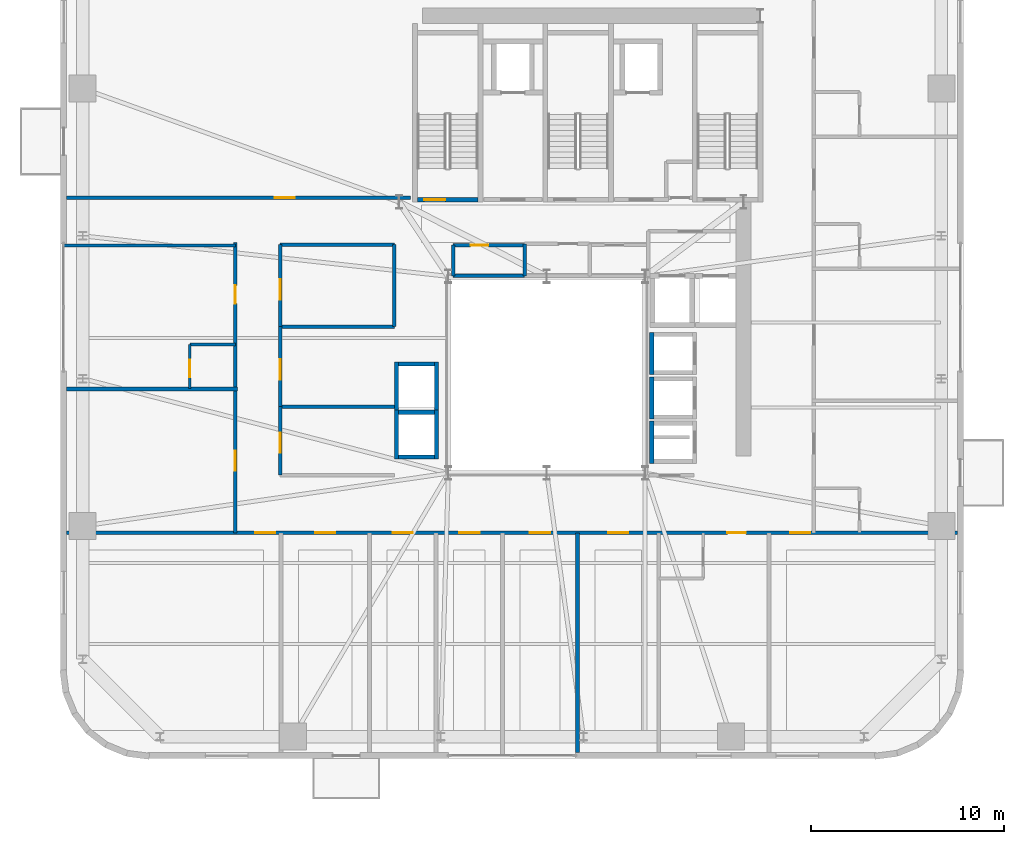
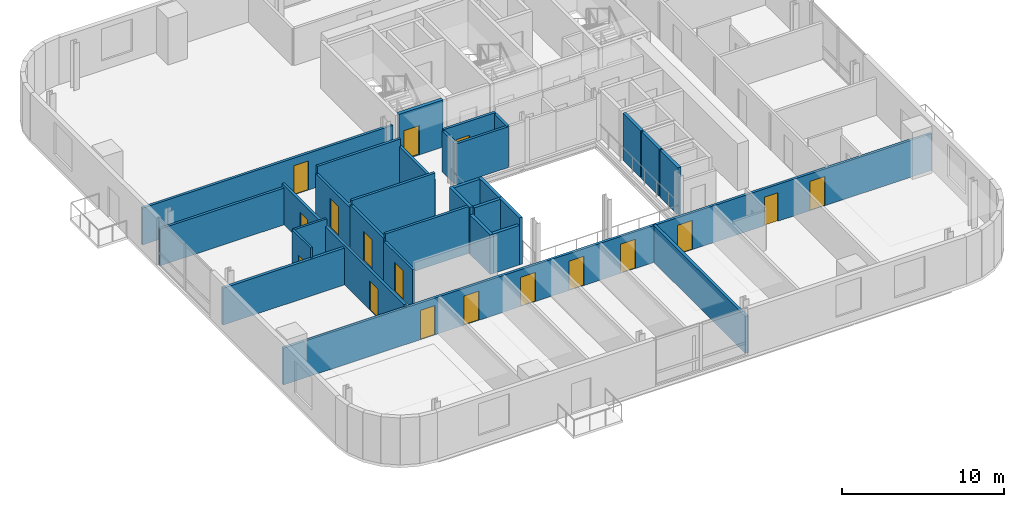
# One storey, part 8 of 16: 30 walls, 17 doors, 17 openings.
"""IFC4 building model written with IfcOpenShell, lengths in metres."""

from ifc_helpers import new_model, si_unit, direction, frame, frame_2d, origin, place, context, subcontext, project, spatial, rectangle, extrude, source, transform, mapped, material, layer, layer_set, type_object, element, fill, save


model = new_model("IFC4")

# Units and contexts
model_context = context("Model", 3, precision=1e-05, world=origin(), true_north=direction((0.0, 1.0)))
body_context = subcontext(model_context, "Body", "Model", "MODEL_VIEW")
ifc_project = project(units=[si_unit("LENGTHUNIT", "METRE"), si_unit("AREAUNIT", "SQUARE_METRE"), si_unit("VOLUMEUNIT", "CUBIC_METRE"), si_unit("PLANEANGLEUNIT", "RADIAN"), si_unit("MASSUNIT", "GRAM", prefix="KILO")], contexts=[model_context])

# Site, building, storey
site_placement = place(None, origin())
site = spatial("IfcSite", under=ifc_project, at=site_placement, CompositionType="ELEMENT")
building_placement = place(site_placement, origin())
building = spatial("IfcBuilding", under=site, at=building_placement, Name="Vardaveli Station Tower", CompositionType="ELEMENT")
storey_placement = place(building_placement, frame((0.0, 0.0, 184.800048828125)))
storey = spatial("IfcBuildingStorey", under=building, at=storey_placement, Name="L47", CompositionType="ELEMENT", Elevation=184.800048828125)

# Wall, opening, door
ifc_material_1 = material(Name="Concrete C40/50", Category="concrete")
ifc_layer_1 = layer(ifc_material_1, 0.25, Name="Concrete C40/50")
ifc_layer_set_1 = layer_set([ifc_layer_1], Name="Concrete C40/50")
wall_type_1 = type_object("IfcWallType", Name="WAL-SHAFT-250", PredefinedType="SOLIDWALL", material=ifc_layer_set_1)
shared_shape_1 = source(origin(), body_context, "Body", "SweptSolid", [
    extrude(rectangle(XDim=3.14990234375, YDim=0.25, at=frame_2d((1.574951171875, 0.0))), origin(), (0.0, 0.0, 1.0), 3.550048828125),
])
wall_1_placement = place(storey_placement, frame((29.60009765625, 30.77490234375, 0.0), z_axis=(0.0, 0.0, 1.0), x_axis=(1.0, 0.0, 0.0)))
wall_1 = element("IfcWall", 1, at=wall_1_placement, inside=storey, type_object=wall_type_1, Name="W-L47-ST-1S", PredefinedType="SOLIDWALL", context=body_context, shape_type="MappedRepresentation", body=[
    mapped(shared_shape_1, transform((0.0, 0.0, 0.0), scale=1.0)),
])
shared_shape_2 = source(origin(), body_context, "Body", "SweptSolid", [
    extrude(rectangle(XDim=1.10009765625, YDim=2.199951171875, at=frame_2d((0.550048828125, 1.10009765625))), frame((0.0, 0.135009765625, 0.0), z_axis=(0.0, -1.0, 0.0), x_axis=(1.0, 0.0, 0.0)), (0.0, 0.0, 1.0), 0.27001953125),
])
opening_1_placement = place(wall_1_placement, frame((0.35009765625, 0.0, 0.0)))
opening_1 = element("IfcOpeningElement", 2, at=opening_1_placement, cuts=wall_1, Name="Opening D-04", PredefinedType="OPENING", context=body_context, shape_type="MappedRepresentation", body=[
    mapped(shared_shape_2, transform((0.0, 0.0, 0.0), scale=1.0)),
])
ifc_material_2 = material(Name="Steel smokeproof fire doorset", Category="steel")
door_type_1 = type_object("IfcDoorType", Name="DR-ST-1100x2200", OperationType="NOTDEFINED", PredefinedType="DOOR", material=ifc_material_2)
shared_shape_3 = source(origin(), body_context, "Body", "SweptSolid", [
    extrude(rectangle(XDim=1.10009765625, YDim=2.199951171875, at=frame_2d((0.550048828125, 1.10009765625))), frame((0.0, 0.02490234375, 0.0), z_axis=(0.0, -1.0, 0.0), x_axis=(1.0, 0.0, 0.0)), (0.0, 0.0, 1.0), 0.050048828125),
])
door_1_placement = place(opening_1_placement, origin())
door_1 = element("IfcDoor", 3, at=door_1_placement, inside=storey, type_object=door_type_1, Name="DST-1-L47", OperationType="SINGLE_SWING_LEFT", OverallHeight=2.199951171875, OverallWidth=1.10009765625, PredefinedType="DOOR", context=body_context, shape_type="MappedRepresentation", body=[
    mapped(shared_shape_3, transform((0.0, 0.0, 0.0), scale=1.0)),
])
fill(opening_1, door_1)

# Walls
ifc_layer_2 = layer(ifc_material_1, 0.219970703125, Name="Concrete C40/50")
ifc_layer_set_2 = layer_set([ifc_layer_2], Name="Concrete C40/50")
wall_type_2 = type_object("IfcWallType", Name="WAL-FFLOBBY-220", PredefinedType="SOLIDWALL", material=ifc_layer_set_2)
shared_shape_4 = source(origin(), body_context, "Body", "SweptSolid", [
    extrude(rectangle(XDim=2.18994140625, YDim=0.219970703125, at=frame_2d((1.094970703125, 0.0))), origin(), (0.0, 0.0, 1.0), 3.530029296875),
])
for number, where, z_axis, x_axis, name in (
    (4, (41.739990234375, 21.705078125, 0.0), (0.0, 0.0, 1.0), (0.0, 1.0, 0.0), "SHW-HL3-01-L47-W"),
    (5, (41.739990234375, 19.405029296875, 0.0), (0.0, 0.0, 1.0), (0.0, 1.0, 0.0), "SHW-HL3-02-L47-W"),
    (6, (41.739990234375, 17.10498046875, 0.0), (0.0, 0.0, 1.0), (0.0, 1.0, 0.0), "SHW-HL3-03-L47-W"),
):
    element("IfcWall", number, at=place(storey_placement, frame(where, z_axis=z_axis, x_axis=x_axis)), inside=storey, type_object=wall_type_2, Name=name, PredefinedType="SOLIDWALL", context=body_context, shape_type="MappedRepresentation", body=[
        mapped(shared_shape_4, transform((0.0, 0.0, 0.0), scale=1.0)),
    ])
shared_shape_5 = source(origin(), body_context, "Body", "SweptSolid", [
    extrude(rectangle(XDim=1.85009765625, YDim=0.219970703125, at=frame_2d((0.925048828125, 0.0))), origin(), (0.0, 0.0, 1.0), 2.971923828125),
])
wall_2_placement = place(storey_placement, frame((28.625, 17.43994140625, 0.0), z_axis=(0.0, 0.0, 1.0), x_axis=(1.0, 0.0, 0.0)))
element("IfcWall", 7, at=wall_2_placement, inside=storey, type_object=wall_type_2, Name="SHW-OBS-01-L47-S", PredefinedType="SOLIDWALL", context=body_context, shape_type="MappedRepresentation", body=[
    mapped(shared_shape_5, transform((0.0, 0.0, 0.0), scale=1.0)),
])
shared_shape_6 = source(origin(), body_context, "Body", "SweptSolid", [
    extrude(rectangle(XDim=1.85009765625, YDim=0.219970703125, at=frame_2d((0.925048828125, 0.0))), origin(), (0.0, 0.0, 1.0), 3.530029296875),
])
for number, where, z_axis, x_axis, name in (
    (8, (28.625, 19.760009765625, 0.0), (0.0, 0.0, 1.0), (1.0, 0.0, 0.0), "SHW-OBS-01-L47-N"),
    (9, (28.625, 22.260009765625, 0.0), (0.0, 0.0, 1.0), (1.0, 0.0, 0.0), "SHW-OBS-02-L47-N"),
):
    element("IfcWall", number, at=place(storey_placement, frame(where, z_axis=z_axis, x_axis=x_axis)), inside=storey, type_object=wall_type_2, Name=name, PredefinedType="SOLIDWALL", context=body_context, shape_type="MappedRepresentation", body=[
        mapped(shared_shape_6, transform((0.0, 0.0, 0.0), scale=1.0)),
    ])
shared_shape_7 = source(origin(), body_context, "Body", "SweptSolid", [
    extrude(rectangle(XDim=2.5400390625, YDim=0.219970703125, at=frame_2d((1.27001953125, 0.0))), origin(), (0.0, 0.0, 1.0), 2.971923828125),
])
wall_3_placement = place(storey_placement, frame((28.514892578125, 17.330078125, 0.0), z_axis=(0.0, 0.0, 1.0), x_axis=(0.0, 1.0, 0.0)))
element("IfcWall", 10, at=wall_3_placement, inside=storey, type_object=wall_type_2, Name="SHW-OBS-01-L47-W", PredefinedType="SOLIDWALL", context=body_context, shape_type="MappedRepresentation", body=[
    mapped(shared_shape_7, transform((0.0, 0.0, 0.0), scale=1.0)),
])
shared_shape_8 = source(origin(), body_context, "Body", "SweptSolid", [
    extrude(rectangle(XDim=2.5400390625, YDim=0.219970703125, at=frame_2d((1.27001953125, 0.0))), origin(), (0.0, 0.0, 1.0), 3.530029296875),
])
for number, where, z_axis, x_axis, name in (
    (11, (30.5849609375, 17.330078125, 0.0), (0.0, 0.0, 1.0), (0.0, 1.0, 0.0), "SHW-OBS-01-L47-E"),
    (12, (28.514892578125, 19.830078125, 0.0), (0.0, 0.0, 1.0), (0.0, 1.0, 0.0), "SHW-OBS-02-L47-W"),
    (13, (30.5849609375, 19.830078125, 0.0), (0.0, 0.0, 1.0), (0.0, 1.0, 0.0), "SHW-OBS-02-L47-E"),
):
    element("IfcWall", number, at=place(storey_placement, frame(where, z_axis=z_axis, x_axis=x_axis)), inside=storey, type_object=wall_type_2, Name=name, PredefinedType="SOLIDWALL", context=body_context, shape_type="MappedRepresentation", body=[
        mapped(shared_shape_8, transform((0.0, 0.0, 0.0), scale=1.0)),
    ])

# Wall, openings, doors
ifc_material_3 = material(Name="Fire-rated gypsum stud partition")
ifc_layer_3 = layer(ifc_material_3, 0.179931640625, Name="Fire-rated gypsum stud partition")
ifc_layer_set_3 = layer_set([ifc_layer_3], Name="Fire-rated gypsum stud partition")
wall_type_3 = type_object("IfcWallType", Name="WAL-CORR-180", PredefinedType="PARTITIONING", material=ifc_layer_set_3)
shared_shape_9 = source(origin(), body_context, "Body", "SweptSolid", [
    extrude(rectangle(XDim=46.15576171875, YDim=0.179931640625, at=frame_2d((23.077880859375, 0.0))), origin(), (0.0, 0.0, 1.0), 2.77197265625),
])
wall_4_placement = place(storey_placement, frame((11.422119140625, 13.510009765625, 0.0), z_axis=(0.0, 0.0, 1.0), x_axis=(1.0, 0.0, 0.0)))
wall_4 = element("IfcWall", 14, at=wall_4_placement, inside=storey, type_object=wall_type_3, Name="W-L47-CS", PredefinedType="PARTITIONING", context=body_context, shape_type="MappedRepresentation", body=[
    mapped(shared_shape_9, transform((0.0, 0.0, 0.0), scale=1.0)),
])
shared_shape_10 = source(origin(), body_context, "Body", "SweptSolid", [
    extrude(rectangle(XDim=1.050048828125, YDim=2.199951171875, at=frame_2d((0.52490234375, 1.10009765625))), frame((0.0, 0.10009765625, 0.0), z_axis=(0.0, -1.0, 0.0), x_axis=(1.0, 0.0, 0.0)), (0.0, 0.0, 1.0), 0.199951171875),
])
opening_2_placement = place(wall_4_placement, frame((9.758056640625, 0.0, 0.0)))
opening_2 = element("IfcOpeningElement", 15, at=opening_2_placement, cuts=wall_4, Name="Opening D-05", PredefinedType="OPENING", context=body_context, shape_type="MappedRepresentation", body=[
    mapped(shared_shape_10, transform((0.0, 0.0, 0.0), scale=1.0)),
])
opening_3_placement = place(wall_4_placement, frame((12.878173828125, 0.0, 0.0)))
opening_3 = element("IfcOpeningElement", 16, at=opening_3_placement, cuts=wall_4, Name="Opening D-05", PredefinedType="OPENING", context=body_context, shape_type="MappedRepresentation", body=[
    mapped(shared_shape_10, transform((0.0, 0.0, 0.0), scale=1.0)),
])
opening_4_placement = place(wall_4_placement, frame((16.893310546875, 0.0, 0.0)))
opening_4 = element("IfcOpeningElement", 17, at=opening_4_placement, cuts=wall_4, Name="Opening D-05", PredefinedType="OPENING", context=body_context, shape_type="MappedRepresentation", body=[
    mapped(shared_shape_10, transform((0.0, 0.0, 0.0), scale=1.0)),
])
opening_5_placement = place(wall_4_placement, frame((20.343505859375, 0.0, 0.0)))
opening_5 = element("IfcOpeningElement", 18, at=opening_5_placement, cuts=wall_4, Name="Opening D-05", PredefinedType="OPENING", context=body_context, shape_type="MappedRepresentation", body=[
    mapped(shared_shape_10, transform((0.0, 0.0, 0.0), scale=1.0)),
])
opening_6_placement = place(wall_4_placement, frame((24.00830078125, 0.0, 0.0)))
opening_6 = element("IfcOpeningElement", 19, at=opening_6_placement, cuts=wall_4, Name="Opening D-05", PredefinedType="OPENING", context=body_context, shape_type="MappedRepresentation", body=[
    mapped(shared_shape_10, transform((0.0, 0.0, 0.0), scale=1.0)),
])
opening_7_placement = place(wall_4_placement, frame((28.055419921875, 0.0, 0.0)))
opening_7 = element("IfcOpeningElement", 20, at=opening_7_placement, cuts=wall_4, Name="Opening D-05", PredefinedType="OPENING", context=body_context, shape_type="MappedRepresentation", body=[
    mapped(shared_shape_10, transform((0.0, 0.0, 0.0), scale=1.0)),
])
shared_shape_11 = source(origin(), body_context, "Body", "SweptSolid", [
    extrude(rectangle(XDim=0.949951171875, YDim=2.14990234375, at=frame_2d((0.47509765625, 1.074951171875))), frame((0.0, 0.10009765625, 0.0), z_axis=(0.0, -1.0, 0.0), x_axis=(1.0, 0.0, 0.0)), (0.0, 0.0, 1.0), 0.199951171875),
])
opening_8_placement = place(wall_4_placement, frame((34.24560546875, 0.0, 0.0)))
opening_8 = element("IfcOpeningElement", 21, at=opening_8_placement, cuts=wall_4, Name="Opening D-06", PredefinedType="OPENING", context=body_context, shape_type="MappedRepresentation", body=[
    mapped(shared_shape_11, transform((0.0, 0.0, 0.0), scale=1.0)),
])
opening_9_placement = place(wall_4_placement, frame((37.498046875, 0.0, 0.0)))
opening_9 = element("IfcOpeningElement", 22, at=opening_9_placement, cuts=wall_4, Name="Opening D-05", PredefinedType="OPENING", context=body_context, shape_type="MappedRepresentation", body=[
    mapped(shared_shape_10, transform((0.0, 0.0, 0.0), scale=1.0)),
])
ifc_material_4 = material(Name="Walnut veneer acoustic fire door")
door_type_2 = type_object("IfcDoorType", Name="DR-SUITE-1050x2200", OperationType="NOTDEFINED", PredefinedType="DOOR", material=ifc_material_4)
shared_shape_12 = source(origin(), body_context, "Body", "SweptSolid", [
    extrude(rectangle(XDim=1.050048828125, YDim=2.199951171875, at=frame_2d((0.52490234375, 1.10009765625))), frame((0.0, 0.02490234375, 0.0), z_axis=(0.0, -1.0, 0.0), x_axis=(1.0, 0.0, 0.0)), (0.0, 0.0, 1.0), 0.050048828125),
])
door_2_placement = place(opening_2_placement, origin())
door_2 = element("IfcDoor", 23, at=door_2_placement, inside=storey, type_object=door_type_2, Name="D-L47-SA1", OperationType="SINGLE_SWING_RIGHT", OverallHeight=2.199951171875, OverallWidth=1.050048828125, PredefinedType="DOOR", context=body_context, shape_type="MappedRepresentation", body=[
    mapped(shared_shape_12, transform((0.0, 0.0, 0.0), scale=1.0)),
])
fill(opening_2, door_2)
door_3_placement = place(opening_3_placement, origin())
door_3 = element("IfcDoor", 24, at=door_3_placement, inside=storey, type_object=door_type_2, Name="D-L47-SA2", OperationType="SINGLE_SWING_LEFT", OverallHeight=2.199951171875, OverallWidth=1.050048828125, PredefinedType="DOOR", context=body_context, shape_type="MappedRepresentation", body=[
    mapped(shared_shape_12, transform((0.0, 0.0, 0.0), scale=1.0)),
])
fill(opening_3, door_3)
door_4_placement = place(opening_4_placement, origin())
door_4 = element("IfcDoor", 25, at=door_4_placement, inside=storey, type_object=door_type_2, Name="D-L47-SA3", OperationType="SINGLE_SWING_RIGHT", OverallHeight=2.199951171875, OverallWidth=1.050048828125, PredefinedType="DOOR", context=body_context, shape_type="MappedRepresentation", body=[
    mapped(shared_shape_12, transform((0.0, 0.0, 0.0), scale=1.0)),
])
fill(opening_4, door_4)
door_5_placement = place(opening_5_placement, origin())
door_5 = element("IfcDoor", 26, at=door_5_placement, inside=storey, type_object=door_type_2, Name="D-L47-SA4", OperationType="SINGLE_SWING_LEFT", OverallHeight=2.199951171875, OverallWidth=1.050048828125, PredefinedType="DOOR", context=body_context, shape_type="MappedRepresentation", body=[
    mapped(shared_shape_12, transform((0.0, 0.0, 0.0), scale=1.0)),
])
fill(opening_5, door_5)
door_6_placement = place(opening_6_placement, origin())
door_6 = element("IfcDoor", 27, at=door_6_placement, inside=storey, type_object=door_type_2, Name="D-L47-SA5", OperationType="SINGLE_SWING_RIGHT", OverallHeight=2.199951171875, OverallWidth=1.050048828125, PredefinedType="DOOR", context=body_context, shape_type="MappedRepresentation", body=[
    mapped(shared_shape_12, transform((0.0, 0.0, 0.0), scale=1.0)),
])
fill(opening_6, door_6)
door_7_placement = place(opening_7_placement, origin())
door_7 = element("IfcDoor", 28, at=door_7_placement, inside=storey, type_object=door_type_2, Name="D-L47-SA6", OperationType="SINGLE_SWING_LEFT", OverallHeight=2.199951171875, OverallWidth=1.050048828125, PredefinedType="DOOR", context=body_context, shape_type="MappedRepresentation", body=[
    mapped(shared_shape_12, transform((0.0, 0.0, 0.0), scale=1.0)),
])
fill(opening_7, door_7)
door_8_placement = place(opening_9_placement, origin())
door_8 = element("IfcDoor", 29, at=door_8_placement, inside=storey, type_object=door_type_2, Name="D-L47-SA8", OperationType="SINGLE_SWING_LEFT", OverallHeight=2.199951171875, OverallWidth=1.050048828125, PredefinedType="DOOR", context=body_context, shape_type="MappedRepresentation", body=[
    mapped(shared_shape_12, transform((0.0, 0.0, 0.0), scale=1.0)),
])
fill(opening_9, door_8)
ifc_material_5 = material(Name="Oak veneer acoustic fire door")
door_type_3 = type_object("IfcDoorType", Name="DR-GUEST-950x2150", OperationType="NOTDEFINED", PredefinedType="DOOR", material=ifc_material_5)
shared_shape_13 = source(origin(), body_context, "Body", "SweptSolid", [
    extrude(rectangle(XDim=0.949951171875, YDim=2.14990234375, at=frame_2d((0.47509765625, 1.074951171875))), frame((0.0, 0.02490234375, 0.0), z_axis=(0.0, -1.0, 0.0), x_axis=(1.0, 0.0, 0.0)), (0.0, 0.0, 1.0), 0.050048828125),
])
door_9_placement = place(opening_8_placement, origin())
door_9 = element("IfcDoor", 30, at=door_9_placement, inside=storey, type_object=door_type_3, Name="D-L47-GS7", OperationType="SINGLE_SWING_RIGHT", OverallHeight=2.14990234375, OverallWidth=0.949951171875, PredefinedType="DOOR", context=body_context, shape_type="MappedRepresentation", body=[
    mapped(shared_shape_13, transform((0.0, 0.0, 0.0), scale=1.0)),
])
fill(opening_8, door_9)

# Wall, opening, door
shared_shape_14 = source(origin(), body_context, "Body", "SweptSolid", [
    extrude(rectangle(XDim=17.827880859375, YDim=0.179931640625, at=frame_2d((8.9140625, 0.0))), origin(), (0.0, 0.0, 1.0), 2.77197265625),
])
wall_5_placement = place(storey_placement, frame((11.422119140625, 30.8798828125, 0.0), z_axis=(0.0, 0.0, 1.0), x_axis=(1.0, 0.0, 0.0)))
wall_5 = element("IfcWall", 31, at=wall_5_placement, inside=storey, type_object=wall_type_3, Name="W-L47-CNWS", PredefinedType="PARTITIONING", context=body_context, shape_type="MappedRepresentation", body=[
    mapped(shared_shape_14, transform((0.0, 0.0, 0.0), scale=1.0)),
])
opening_10_placement = place(wall_5_placement, frame((10.778076171875, 0.0, 0.0)))
opening_10 = element("IfcOpeningElement", 32, at=opening_10_placement, cuts=wall_5, Name="Opening D-05", PredefinedType="OPENING", context=body_context, shape_type="MappedRepresentation", body=[
    mapped(shared_shape_10, transform((0.0, 0.0, 0.0), scale=1.0)),
])
door_10_placement = place(opening_10_placement, origin())
door_10 = element("IfcDoor", 33, at=door_10_placement, inside=storey, type_object=door_type_2, Name="D-L47-GNW1", OperationType="SINGLE_SWING_LEFT", OverallHeight=2.199951171875, OverallWidth=1.050048828125, PredefinedType="DOOR", context=body_context, shape_type="MappedRepresentation", body=[
    mapped(shared_shape_12, transform((0.0, 0.0, 0.0), scale=1.0)),
])
fill(opening_10, door_10)

# Wall, openings, doors
shared_shape_15 = source(origin(), body_context, "Body", "SweptSolid", [
    extrude(rectangle(XDim=15.0400390625, YDim=0.179931640625, at=frame_2d((7.52001953125, 0.0))), origin(), (0.0, 0.0, 1.0), 2.971923828125),
])
wall_6_placement = place(storey_placement, frame((20.159912109375, 13.510009765625, 0.0), z_axis=(0.0, 0.0, 1.0), x_axis=(0.0, 1.0, 0.0)))
wall_6 = element("IfcWall", 34, at=wall_6_placement, inside=storey, type_object=wall_type_3, Name="W-L47-CW", PredefinedType="PARTITIONING", context=body_context, shape_type="MappedRepresentation", body=[
    mapped(shared_shape_15, transform((0.0, 0.0, 0.0), scale=1.0)),
])
opening_11_placement = place(wall_6_placement, frame((3.202392578125, 0.0, 0.0)))
opening_11 = element("IfcOpeningElement", 35, at=opening_11_placement, cuts=wall_6, Name="Opening D-05", PredefinedType="OPENING", context=body_context, shape_type="MappedRepresentation", body=[
    mapped(shared_shape_10, transform((0.0, 0.0, 0.0), scale=1.0)),
])
opening_12_placement = place(wall_6_placement, frame((11.87255859375, 0.0, 0.0)))
opening_12 = element("IfcOpeningElement", 36, at=opening_12_placement, cuts=wall_6, Name="Opening D-06", PredefinedType="OPENING", context=body_context, shape_type="MappedRepresentation", body=[
    mapped(shared_shape_11, transform((0.0, 0.0, 0.0), scale=1.0)),
])
door_11_placement = place(opening_11_placement, origin())
door_11 = element("IfcDoor", 37, at=door_11_placement, inside=storey, type_object=door_type_2, Name="D-L47-GW1", OperationType="SINGLE_SWING_RIGHT", OverallHeight=2.199951171875, OverallWidth=1.050048828125, PredefinedType="DOOR", context=body_context, shape_type="MappedRepresentation", body=[
    mapped(shared_shape_12, transform((0.0, 0.0, 0.0), scale=1.0)),
])
fill(opening_11, door_11)
door_12_placement = place(opening_12_placement, origin())
door_12 = element("IfcDoor", 38, at=door_12_placement, inside=storey, type_object=door_type_3, Name="D-L47-GW2", OperationType="SINGLE_SWING_LEFT", OverallHeight=2.14990234375, OverallWidth=0.949951171875, PredefinedType="DOOR", context=body_context, shape_type="MappedRepresentation", body=[
    mapped(shared_shape_13, transform((0.0, 0.0, 0.0), scale=1.0)),
])
fill(opening_12, door_12)

# Wall, opening, door
shared_shape_16 = source(origin(), body_context, "Body", "SweptSolid", [
    extrude(rectangle(XDim=4.239990234375, YDim=0.179931640625, at=frame_2d((2.1201171875, 0.0))), origin(), (0.0, 0.0, 1.0), 2.971923828125),
])
wall_7_placement = place(storey_placement, frame((22.47998046875, 24.199951171875, 0.0), z_axis=(0.0, 0.0, 1.0), x_axis=(0.0, 1.0, 0.0)))
wall_7 = element("IfcWall", 39, at=wall_7_placement, inside=storey, type_object=wall_type_3, Name="W-L47-ATWC-W", PredefinedType="PARTITIONING", context=body_context, shape_type="MappedRepresentation", body=[
    mapped(shared_shape_16, transform((0.0, 0.0, 0.0), scale=1.0)),
])
opening_13_placement = place(wall_7_placement, frame((1.39990234375, 0.0, 0.0)))
opening_13 = element("IfcOpeningElement", 40, at=opening_13_placement, cuts=wall_7, Name="Opening D-05", PredefinedType="OPENING", context=body_context, shape_type="MappedRepresentation", body=[
    mapped(shared_shape_10, transform((0.0, 0.0, 0.0), scale=1.0)),
])
door_13_placement = place(opening_13_placement, origin())
door_13 = element("IfcDoor", 41, at=door_13_placement, inside=storey, type_object=door_type_2, Name="D-L47-ATW3", OperationType="SINGLE_SWING_LEFT", OverallHeight=2.199951171875, OverallWidth=1.050048828125, PredefinedType="DOOR", context=body_context, shape_type="MappedRepresentation", body=[
    mapped(shared_shape_12, transform((0.0, 0.0, 0.0), scale=1.0)),
])
fill(opening_13, door_13)

# Wall
wall_8_placement = place(storey_placement, frame((28.39990234375, 24.199951171875, 0.0), z_axis=(0.0, 0.0, 1.0), x_axis=(0.0, 1.0, 0.0)))
element("IfcWall", 42, at=wall_8_placement, inside=storey, type_object=wall_type_3, Name="W-L47-ATWC-E", PredefinedType="PARTITIONING", context=body_context, shape_type="MappedRepresentation", body=[
    mapped(shared_shape_16, transform((0.0, 0.0, 0.0), scale=1.0)),
])

# Wall, opening, door
shared_shape_17 = source(origin(), body_context, "Body", "SweptSolid", [
    extrude(rectangle(XDim=4.14990234375, YDim=0.179931640625, at=frame_2d((2.074951171875, 0.0))), origin(), (0.0, 0.0, 1.0), 3.19189453125),
])
wall_9_placement = place(storey_placement, frame((22.47998046875, 20.050048828125, 0.0), z_axis=(0.0, 0.0, 1.0), x_axis=(0.0, 1.0, 0.0)))
wall_9 = element("IfcWall", 43, at=wall_9_placement, inside=storey, type_object=wall_type_3, Name="W-L47-ATWB-W", PredefinedType="PARTITIONING", context=body_context, shape_type="MappedRepresentation", body=[
    mapped(shared_shape_17, transform((0.0, 0.0, 0.0), scale=1.0)),
])
opening_14_placement = place(wall_9_placement, frame((1.39990234375, 0.0, 0.0)))
opening_14 = element("IfcOpeningElement", 44, at=opening_14_placement, cuts=wall_9, Name="Opening D-05", PredefinedType="OPENING", context=body_context, shape_type="MappedRepresentation", body=[
    mapped(shared_shape_10, transform((0.0, 0.0, 0.0), scale=1.0)),
])
door_14_placement = place(opening_14_placement, origin())
door_14 = element("IfcDoor", 45, at=door_14_placement, inside=storey, type_object=door_type_2, Name="D-L47-ATW2", OperationType="SINGLE_SWING_RIGHT", OverallHeight=2.199951171875, OverallWidth=1.050048828125, PredefinedType="DOOR", context=body_context, shape_type="MappedRepresentation", body=[
    mapped(shared_shape_12, transform((0.0, 0.0, 0.0), scale=1.0)),
])
fill(opening_14, door_14)

shared_shape_18 = source(origin(), body_context, "Body", "SweptSolid", [
    extrude(rectangle(XDim=3.699951171875, YDim=0.179931640625, at=frame_2d((1.85009765625, 0.0))), origin(), (0.0, 0.0, 1.0), 3.161865234375),
])
wall_10_placement = place(storey_placement, frame((31.449951171875, 28.419921875, 0.0), z_axis=(0.0, 0.0, 1.0), x_axis=(1.0, 0.0, 0.0)))
wall_10 = element("IfcWall", 46, at=wall_10_placement, inside=storey, type_object=wall_type_3, Name="W-L47-CS2A-N", PredefinedType="PARTITIONING", context=body_context, shape_type="MappedRepresentation", body=[
    mapped(shared_shape_18, transform((0.0, 0.0, 0.0), scale=1.0)),
])
shared_shape_19 = source(origin(), body_context, "Body", "SweptSolid", [
    extrude(rectangle(XDim=0.919921875, YDim=2.10009765625, at=frame_2d((0.4599609375, 1.050048828125))), frame((0.0, 0.10009765625, 0.0), z_axis=(0.0, -1.0, 0.0), x_axis=(1.0, 0.0, 0.0)), (0.0, 0.0, 1.0), 0.199951171875),
])
opening_15_placement = place(wall_10_placement, frame((0.89990234375, 0.0, 0.0)))
opening_15 = element("IfcOpeningElement", 47, at=opening_15_placement, cuts=wall_10, Name="Opening D-07", PredefinedType="OPENING", context=body_context, shape_type="MappedRepresentation", body=[
    mapped(shared_shape_19, transform((0.0, 0.0, 0.0), scale=1.0)),
])
ifc_material_6 = material(Name="Moisture-resistant hardwood door", Category="wood")
door_type_4 = type_object("IfcDoorType", Name="DR-WC-920x2100", OperationType="NOTDEFINED", PredefinedType="DOOR", material=ifc_material_6)
shared_shape_20 = source(origin(), body_context, "Body", "SweptSolid", [
    extrude(rectangle(XDim=0.919921875, YDim=2.10009765625, at=frame_2d((0.4599609375, 1.050048828125))), frame((0.0, 0.02490234375, 0.0), z_axis=(0.0, -1.0, 0.0), x_axis=(1.0, 0.0, 0.0)), (0.0, 0.0, 1.0), 0.050048828125),
])
door_15_placement = place(opening_15_placement, origin())
door_15 = element("IfcDoor", 48, at=door_15_placement, inside=storey, type_object=door_type_4, Name="D-L47-CS2A", OperationType="SINGLE_SWING_LEFT", OverallHeight=2.10009765625, OverallWidth=0.919921875, PredefinedType="DOOR", context=body_context, shape_type="MappedRepresentation", body=[
    mapped(shared_shape_20, transform((0.0, 0.0, 0.0), scale=1.0)),
])
fill(opening_15, door_15)

shared_shape_21 = source(origin(), body_context, "Body", "SweptSolid", [
    extrude(rectangle(XDim=3.550048828125, YDim=0.179931640625, at=frame_2d((1.77490234375, 0.0))), origin(), (0.0, 0.0, 1.0), 2.971923828125),
])
wall_11_placement = place(storey_placement, frame((22.47998046875, 16.5, 0.0), z_axis=(0.0, 0.0, 1.0), x_axis=(0.0, 1.0, 0.0)))
wall_11 = element("IfcWall", 49, at=wall_11_placement, inside=storey, type_object=wall_type_3, Name="W-L47-ATWA-W", PredefinedType="PARTITIONING", context=body_context, shape_type="MappedRepresentation", body=[
    mapped(shared_shape_21, transform((0.0, 0.0, 0.0), scale=1.0)),
])
opening_16_placement = place(wall_11_placement, frame((1.14990234375, 0.0, 0.0)))
opening_16 = element("IfcOpeningElement", 50, at=opening_16_placement, cuts=wall_11, Name="Opening D-05", PredefinedType="OPENING", context=body_context, shape_type="MappedRepresentation", body=[
    mapped(shared_shape_10, transform((0.0, 0.0, 0.0), scale=1.0)),
])
door_16_placement = place(opening_16_placement, origin())
door_16 = element("IfcDoor", 51, at=door_16_placement, inside=storey, type_object=door_type_2, Name="D-L47-ATW1", OperationType="SINGLE_SWING_RIGHT", OverallHeight=2.199951171875, OverallWidth=1.050048828125, PredefinedType="DOOR", context=body_context, shape_type="MappedRepresentation", body=[
    mapped(shared_shape_12, transform((0.0, 0.0, 0.0), scale=1.0)),
])
fill(opening_16, door_16)

ifc_material_7 = material(Name="Moisture-resistant stud partition")
ifc_layer_4 = layer(ifc_material_7, 0.14990234375, Name="Moisture-resistant stud partition")
ifc_layer_set_4 = layer_set([ifc_layer_4], Name="Moisture-resistant stud partition")
wall_type_4 = type_object("IfcWallType", Name="WAL-WET-150", PredefinedType="PARTITIONING", material=ifc_layer_set_4)
shared_shape_22 = source(origin(), body_context, "Body", "SweptSolid", [
    extrude(rectangle(XDim=2.289794921875, YDim=0.14990234375, at=frame_2d((1.14501953125, 0.0))), origin(), (0.0, 0.0, 1.0), 3.530029296875),
])
wall_12_placement = place(storey_placement, frame((17.800048828125, 20.97509765625, 0.0), z_axis=(0.0, 0.0, 1.0), x_axis=(0.0, 1.0, 0.0)))
wall_12 = element("IfcWall", 52, at=wall_12_placement, inside=storey, type_object=wall_type_4, Name="W-L47-BW2-W", PredefinedType="PARTITIONING", context=body_context, shape_type="MappedRepresentation", body=[
    mapped(shared_shape_22, transform((0.0, 0.0, 0.0), scale=1.0)),
])
shared_shape_23 = source(origin(), body_context, "Body", "SweptSolid", [
    extrude(rectangle(XDim=0.89990234375, YDim=2.10009765625, at=frame_2d((0.449951171875, 1.050048828125))), frame((0.0, 0.0849609375, 0.0), z_axis=(0.0, -1.0, 0.0), x_axis=(1.0, 0.0, 0.0)), (0.0, 0.0, 1.0), 0.169921875),
])
opening_17_placement = place(wall_12_placement, frame((0.60009765625, 0.0, 0.0)))
opening_17 = element("IfcOpeningElement", 53, at=opening_17_placement, cuts=wall_12, Name="Opening D-08", PredefinedType="OPENING", context=body_context, shape_type="MappedRepresentation", body=[
    mapped(shared_shape_23, transform((0.0, 0.0, 0.0), scale=1.0)),
])
ifc_material_8 = material(Name="Moisture-resistant oak door")
door_type_5 = type_object("IfcDoorType", Name="DR-BATH-900x2100", OperationType="NOTDEFINED", PredefinedType="DOOR", material=ifc_material_8)
shared_shape_24 = source(origin(), body_context, "Body", "SweptSolid", [
    extrude(rectangle(XDim=0.89990234375, YDim=2.10009765625, at=frame_2d((0.449951171875, 1.050048828125))), frame((0.0, 0.02490234375, 0.0), z_axis=(0.0, -1.0, 0.0), x_axis=(1.0, 0.0, 0.0)), (0.0, 0.0, 1.0), 0.050048828125),
])
door_17_placement = place(opening_17_placement, origin())
door_17 = element("IfcDoor", 54, at=door_17_placement, inside=storey, type_object=door_type_5, Name="D-L47-BW2", OperationType="SINGLE_SWING_RIGHT", OverallHeight=2.10009765625, OverallWidth=0.89990234375, PredefinedType="DOOR", context=body_context, shape_type="MappedRepresentation", body=[
    mapped(shared_shape_24, transform((0.0, 0.0, 0.0), scale=1.0)),
])
fill(opening_17, door_17)

# Walls
ifc_material_9 = material(Name="Acoustic twin-stud gypsum partition")
ifc_layer_5 = layer(ifc_material_9, 0.199951171875, Name="Acoustic twin-stud gypsum partition")
ifc_layer_set_5 = layer_set([ifc_layer_5], Name="Acoustic twin-stud gypsum partition")
wall_type_5 = type_object("IfcWallType", Name="WAL-PARTY-200", PredefinedType="PARTITIONING", material=ifc_layer_set_5)
shared_shape_25 = source(origin(), body_context, "Body", "SweptSolid", [
    extrude(rectangle(XDim=11.387939453125, YDim=0.199951171875, at=frame_2d((5.69384765625, 0.0))), origin(), (0.0, 0.0, 1.0), 2.77197265625),
])
wall_13_placement = place(storey_placement, frame((37.889892578125, 2.1220703125, 0.0), z_axis=(0.0, 0.0, 1.0), x_axis=(0.0, 1.0, 0.0)))
element("IfcWall", 55, at=wall_13_placement, inside=storey, type_object=wall_type_5, Name="W-L47-PS5", PredefinedType="PARTITIONING", context=body_context, shape_type="MappedRepresentation", body=[
    mapped(shared_shape_25, transform((0.0, 0.0, 0.0), scale=1.0)),
])
shared_shape_26 = source(origin(), body_context, "Body", "SweptSolid", [
    extrude(rectangle(XDim=8.837890625, YDim=0.199951171875, at=frame_2d((4.4189453125, 0.0))), origin(), (0.0, 0.0, 1.0), 2.77197265625),
])
wall_14_placement = place(storey_placement, frame((11.422119140625, 20.955078125, 0.0), z_axis=(0.0, 0.0, 1.0), x_axis=(1.0, 0.0, 0.0)))
element("IfcWall", 56, at=wall_14_placement, inside=storey, type_object=wall_type_5, Name="W-L47-PW1", PredefinedType="PARTITIONING", context=body_context, shape_type="MappedRepresentation", body=[
    mapped(shared_shape_26, transform((0.0, 0.0, 0.0), scale=1.0)),
])
shared_shape_27 = source(origin(), body_context, "Body", "SweptSolid", [
    extrude(rectangle(XDim=8.929931640625, YDim=0.179931640625, at=frame_2d((4.46484375, 0.0))), origin(), (0.0, 0.0, 1.0), 2.77197265625),
])
wall_15_placement = place(storey_placement, frame((11.22998046875, 28.39990234375, 0.0), z_axis=(0.0, 0.0, 1.0), x_axis=(1.0, 0.0, 0.0)))
element("IfcWall", 57, at=wall_15_placement, inside=storey, type_object=wall_type_3, Name="W-L47-CWN", PredefinedType="PARTITIONING", context=body_context, shape_type="MappedRepresentation", body=[
    mapped(shared_shape_27, transform((0.0, 0.0, 0.0), scale=1.0)),
])
shared_shape_28 = source(origin(), body_context, "Body", "SweptSolid", [
    extrude(rectangle(XDim=5.919921875, YDim=0.179931640625, at=frame_2d((2.9599609375, 0.0))), origin(), (0.0, 0.0, 1.0), 3.530029296875),
])
for number, where, z_axis, x_axis, name in (
    (58, (22.47998046875, 20.050048828125, 0.0), (0.0, 0.0, 1.0), (1.0, 0.0, 0.0), "W-L47-ATWA-N"),
    (59, (22.47998046875, 24.199951171875, 0.0), (0.0, 0.0, 1.0), (1.0, 0.0, 0.0), "W-L47-ATWB-N"),
    (60, (22.47998046875, 28.43994140625, 0.0), (0.0, 0.0, 1.0), (1.0, 0.0, 0.0), "W-L47-ATWC-N"),
):
    element("IfcWall", number, at=place(storey_placement, frame(where, z_axis=z_axis, x_axis=x_axis)), inside=storey, type_object=wall_type_3, Name=name, PredefinedType="PARTITIONING", context=body_context, shape_type="MappedRepresentation", body=[
        mapped(shared_shape_28, transform((0.0, 0.0, 0.0), scale=1.0)),
    ])
shared_shape_29 = source(origin(), body_context, "Body", "SweptSolid", [
    extrude(rectangle(XDim=3.699951171875, YDim=0.179931640625, at=frame_2d((1.85009765625, 0.0))), origin(), (0.0, 0.0, 1.0), 3.072021484375),
])
wall_16_placement = place(storey_placement, frame((31.449951171875, 26.820068359375, 0.0), z_axis=(0.0, 0.0, 1.0), x_axis=(1.0, 0.0, 0.0)))
element("IfcWall", 61, at=wall_16_placement, inside=storey, type_object=wall_type_3, Name="W-L47-CS2A-S", PredefinedType="PARTITIONING", context=body_context, shape_type="MappedRepresentation", body=[
    mapped(shared_shape_29, transform((0.0, 0.0, 0.0), scale=1.0)),
])
shared_shape_30 = source(origin(), body_context, "Body", "SweptSolid", [
    extrude(rectangle(XDim=2.35986328125, YDim=0.14990234375, at=frame_2d((1.179931640625, 0.0))), origin(), (0.0, 0.0, 1.0), 3.530029296875),
])
wall_17_placement = place(storey_placement, frame((17.800048828125, 23.264892578125, 0.0), z_axis=(0.0, 0.0, 1.0), x_axis=(1.0, 0.0, 0.0)))
element("IfcWall", 62, at=wall_17_placement, inside=storey, type_object=wall_type_4, Name="W-L47-BW2-N", PredefinedType="PARTITIONING", context=body_context, shape_type="MappedRepresentation", body=[
    mapped(shared_shape_30, transform((0.0, 0.0, 0.0), scale=1.0)),
])
shared_shape_31 = source(origin(), body_context, "Body", "SweptSolid", [
    extrude(rectangle(XDim=1.659912109375, YDim=0.179931640625, at=frame_2d((0.830078125, 0.0))), origin(), (0.0, 0.0, 1.0), 3.072021484375),
])
wall_18_placement = place(storey_placement, frame((35.14990234375, 26.820068359375, 0.0), z_axis=(0.0, 0.0, 1.0), x_axis=(0.0, 1.0, 0.0)))
element("IfcWall", 63, at=wall_18_placement, inside=storey, type_object=wall_type_3, Name="W-L47-HKP2-W", PredefinedType="PARTITIONING", context=body_context, shape_type="MappedRepresentation", body=[
    mapped(shared_shape_31, transform((0.0, 0.0, 0.0), scale=1.0)),
])
shared_shape_32 = source(origin(), body_context, "Body", "SweptSolid", [
    extrude(rectangle(XDim=1.599853515625, YDim=0.179931640625, at=frame_2d((0.7998046875, 0.0))), origin(), (0.0, 0.0, 1.0), 3.072021484375),
])
wall_19_placement = place(storey_placement, frame((31.449951171875, 26.820068359375, 0.0), z_axis=(0.0, 0.0, 1.0), x_axis=(0.0, 1.0, 0.0)))
element("IfcWall", 64, at=wall_19_placement, inside=storey, type_object=wall_type_3, Name="W-L47-CS2A-W", PredefinedType="PARTITIONING", context=body_context, shape_type="MappedRepresentation", body=[
    mapped(shared_shape_32, transform((0.0, 0.0, 0.0), scale=1.0)),
])

save(model, "model.ifc")
